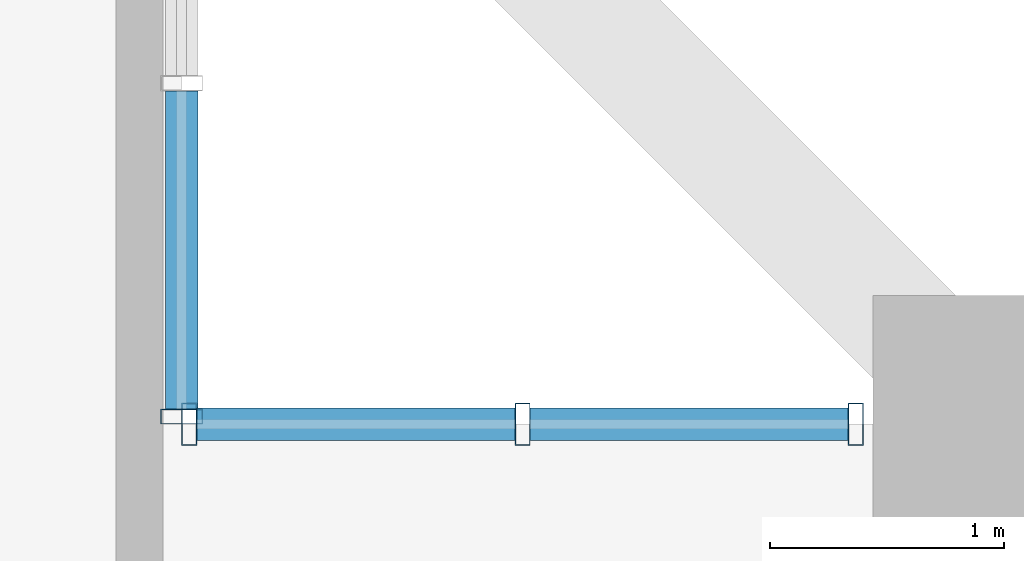
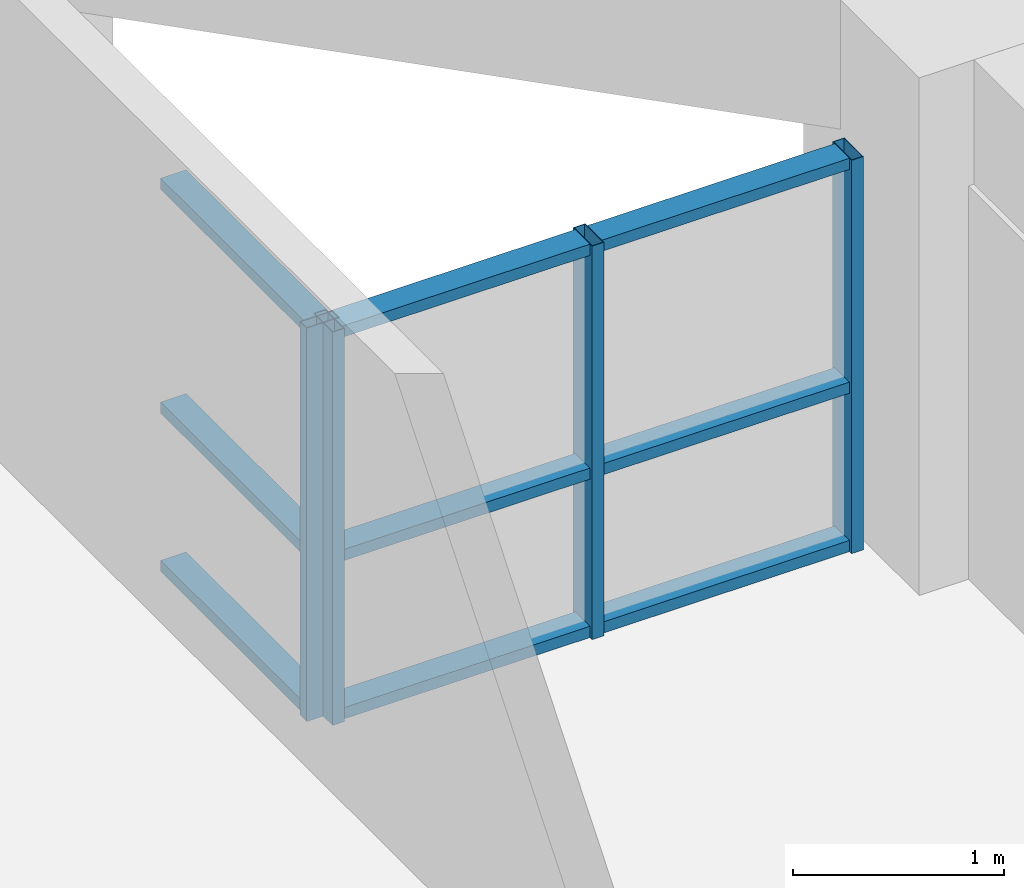
# One storey, part 10 of 27: 13 members, 2 elements without a shape of their own.
"""IFC4 building model written with IfcOpenShell, lengths in metres."""

from ifc_helpers import new_model, si_unit, direction, frame, origin, origin_2d, place, context, subcontext, project, spatial, hollow_rectangle, extrude, source, transform, mapped, material, layer, layer_set, material_profile, profile_set, type_object, element, aggregate, save


model = new_model("IFC4")

# Units and contexts
model_context = context("Model", 3, precision=1e-05, world=origin(), true_north=direction((0.0, 1.0)))
body_context = subcontext(model_context, "Body", "Model", "MODEL_VIEW")
ifc_project = project(units=[si_unit("LENGTHUNIT", "METRE"), si_unit("AREAUNIT", "SQUARE_METRE"), si_unit("VOLUMEUNIT", "CUBIC_METRE"), si_unit("PLANEANGLEUNIT", "RADIAN"), si_unit("MASSUNIT", "GRAM", prefix="KILO")], contexts=[model_context])

# Site, building, storey
site_placement = place(None, origin())
site = spatial("IfcSite", under=ifc_project, at=site_placement, CompositionType="ELEMENT")
building_placement = place(site_placement, origin())
building = spatial("IfcBuilding", under=site, at=building_placement, Name="Saelheon Loggia Tower", CompositionType="ELEMENT")
storey_placement = place(building_placement, frame((0.0, 0.0, 52.39990234375)))
storey = spatial("IfcBuildingStorey", under=building, at=storey_placement, Name="L16", CompositionType="ELEMENT", Elevation=52.39990234375)

# Curtain wall, member
ifc_material_1 = material(Name="Thermal-Break Aluminium and Triple Low-E Glass", Category="aluminium")
ifc_layer = layer(ifc_material_1, 0.159912109375)
ifc_layer_set = layer_set([ifc_layer], Name="Thermal-Break Aluminium and Triple Low-E Glass")
curtain_wall_type = type_object("IfcCurtainWallType", Name="CW_TowerLoggiaLow", PredefinedType="NOTDEFINED", material=ifc_layer_set)
curtain_wall_1_placement = place(storey_placement, origin())
curtain_wall_1 = element("IfcCurtainWall", 1, at=curtain_wall_1_placement, inside=storey, type_object=curtain_wall_type, Name="L16 Corner Notch Glazing NE1", PredefinedType="NOTDEFINED")
ifc_material_2 = material(Name="Anodised Aluminium 6063-T6", Category="aluminium")
ifc_material_profile_1 = material_profile(ifc_material_2, hollow_rectangle(XDim=0.06494140625, YDim=0.179931640625, WallThickness=0.00390625, at=origin_2d()), Name="RHS-180x65x4")
ifc_profile_set_1 = profile_set([ifc_material_profile_1], Name="Anodised Aluminium 6063-T6")
member_type_1 = type_object("IfcMemberType", Name="CW_TowerLoggiaLow_Mullion", PredefinedType="MULLION", material=ifc_profile_set_1)
shared_shape_1 = source(origin(), body_context, "Body", "SweptSolid", [
    extrude(hollow_rectangle(XDim=0.06494140625, YDim=0.179931640625, WallThickness=0.00390625, at=origin_2d()), origin(), (0.0, 0.0, 1.0), 2.280029296875),
])
member_1_placement = place(storey_placement, frame((60.5, 47.532470703125, 0.0), z_axis=(0.0, 0.0, 1.0), x_axis=(0.0, 1.0, 0.0)))
member_1 = element("IfcMember", 2, at=member_1_placement, type_object=member_type_1, Name="CW3 mullion 1", PredefinedType="MULLION", context=body_context, shape_type="MappedRepresentation", body=[
    mapped(shared_shape_1, transform((0.0, 0.0, 0.0), scale=1.0)),
])

# Curtain wall, members
curtain_wall_2_placement = place(storey_placement, origin())
curtain_wall_2 = element("IfcCurtainWall", 3, at=curtain_wall_2_placement, inside=storey, type_object=curtain_wall_type, Name="L16 Corner Notch Glazing NE2", PredefinedType="NOTDEFINED")
member_2_placement = place(storey_placement, frame((60.532470703125, 47.5, 0.0), z_axis=(0.0, 0.0, 1.0), x_axis=(1.0, 0.0, 0.0)))
member_2 = element("IfcMember", 4, at=member_2_placement, type_object=member_type_1, Name="CW3 mullion 1", PredefinedType="MULLION", context=body_context, shape_type="MappedRepresentation", body=[
    mapped(shared_shape_1, transform((0.0, 0.0, 0.0), scale=1.0)),
])
member_3_placement = place(storey_placement, frame((61.955078125, 47.5, 0.0), z_axis=(0.0, 0.0, 1.0), x_axis=(1.0, 0.0, 0.0)))
member_3 = element("IfcMember", 5, at=member_3_placement, type_object=member_type_1, Name="CW3 mullion 2", PredefinedType="MULLION", context=body_context, shape_type="MappedRepresentation", body=[
    mapped(shared_shape_1, transform((0.0, 0.0, 0.0), scale=1.0)),
])
member_4_placement = place(storey_placement, frame((63.37744140625, 47.5, 0.0), z_axis=(0.0, 0.0, 1.0), x_axis=(1.0, 0.0, 0.0)))
member_4 = element("IfcMember", 6, at=member_4_placement, type_object=member_type_1, Name="CW3 mullion 3", PredefinedType="MULLION", context=body_context, shape_type="MappedRepresentation", body=[
    mapped(shared_shape_1, transform((0.0, 0.0, 0.0), scale=1.0)),
])
ifc_material_profile_2 = material_profile(ifc_material_2, hollow_rectangle(XDim=0.06494140625, YDim=0.139892578125, WallThickness=0.00390625, at=origin_2d()), Name="RHS-140x65x4")
ifc_profile_set_2 = profile_set([ifc_material_profile_2], Name="Anodised Aluminium 6063-T6")
member_type_2 = type_object("IfcMemberType", Name="CW_TowerLoggiaLow_Transom", PredefinedType="USERDEFINED", material=ifc_profile_set_2)
shared_shape_2 = source(origin(), body_context, "Body", "SweptSolid", [
    extrude(hollow_rectangle(XDim=0.06494140625, YDim=0.139892578125, WallThickness=0.00390625, at=origin_2d()), origin(), (0.0, 0.0, 1.0), 1.357421875),
])
member_5_placement = place(storey_placement, frame((61.987548828125, 47.5, 0.03271484375), z_axis=(1.0, 0.0, 0.0), x_axis=(0.0, 0.0, 1.0)))
member_5 = element("IfcMember", 7, at=member_5_placement, type_object=member_type_2, Name="CW3 transom 2.1", ObjectType="TRANSOM", PredefinedType="USERDEFINED", context=body_context, shape_type="MappedRepresentation", body=[
    mapped(shared_shape_2, transform((0.0, 0.0, 0.0), scale=1.0)),
])
member_6_placement = place(storey_placement, frame((61.987548828125, 47.5, 0.9501953125), z_axis=(1.0, 0.0, 0.0), x_axis=(0.0, 0.0, 1.0)))
member_6 = element("IfcMember", 8, at=member_6_placement, type_object=member_type_2, Name="CW3 transom 2.2", ObjectType="TRANSOM", PredefinedType="USERDEFINED", context=body_context, shape_type="MappedRepresentation", body=[
    mapped(shared_shape_2, transform((0.0, 0.0, 0.0), scale=1.0)),
])
member_7_placement = place(storey_placement, frame((61.987548828125, 47.5, 2.24755859375), z_axis=(1.0, 0.0, 0.0), x_axis=(0.0, 0.0, 1.0)))
member_7 = element("IfcMember", 9, at=member_7_placement, type_object=member_type_2, Name="CW3 transom 2.3", ObjectType="TRANSOM", PredefinedType="USERDEFINED", context=body_context, shape_type="MappedRepresentation", body=[
    mapped(shared_shape_2, transform((0.0, 0.0, 0.0), scale=1.0)),
])

# Member
shared_shape_3 = source(origin(), body_context, "Body", "SweptSolid", [
    extrude(hollow_rectangle(XDim=0.06494140625, YDim=0.139892578125, WallThickness=0.00390625, at=origin_2d()), origin(), (0.0, 0.0, 1.0), 1.357666015625),
])
member_8_placement = place(storey_placement, frame((60.5, 47.56494140625, 0.03271484375), z_axis=(0.0, 1.0, 0.0), x_axis=(0.0, 0.0, 1.0)))
member_8 = element("IfcMember", 10, at=member_8_placement, type_object=member_type_2, Name="CW3 transom 1.1", ObjectType="TRANSOM", PredefinedType="USERDEFINED", context=body_context, shape_type="MappedRepresentation", body=[
    mapped(shared_shape_3, transform((0.0, 0.0, 0.0), scale=1.0)),
])

member_9_placement = place(storey_placement, frame((60.5, 47.56494140625, 0.9501953125), z_axis=(0.0, 1.0, 0.0), x_axis=(0.0, 0.0, 1.0)))
member_9 = element("IfcMember", 11, at=member_9_placement, type_object=member_type_2, Name="CW3 transom 1.2", ObjectType="TRANSOM", PredefinedType="USERDEFINED", context=body_context, shape_type="MappedRepresentation", body=[
    mapped(shared_shape_3, transform((0.0, 0.0, 0.0), scale=1.0)),
])

member_10_placement = place(storey_placement, frame((60.5, 47.56494140625, 2.24755859375), z_axis=(0.0, 1.0, 0.0), x_axis=(0.0, 0.0, 1.0)))
member_10 = element("IfcMember", 12, at=member_10_placement, type_object=member_type_2, Name="CW3 transom 1.3", ObjectType="TRANSOM", PredefinedType="USERDEFINED", context=body_context, shape_type="MappedRepresentation", body=[
    mapped(shared_shape_3, transform((0.0, 0.0, 0.0), scale=1.0)),
])

aggregate(curtain_wall_1, [member_1, member_8, member_9, member_10])

member_11_placement = place(storey_placement, frame((60.56494140625, 47.5, 0.03271484375), z_axis=(1.0, 0.0, 0.0), x_axis=(0.0, 0.0, 1.0)))
member_11 = element("IfcMember", 13, at=member_11_placement, type_object=member_type_2, Name="CW3 transom 1.1", ObjectType="TRANSOM", PredefinedType="USERDEFINED", context=body_context, shape_type="MappedRepresentation", body=[
    mapped(shared_shape_3, transform((0.0, 0.0, 0.0), scale=1.0)),
])

member_12_placement = place(storey_placement, frame((60.56494140625, 47.5, 0.9501953125), z_axis=(1.0, 0.0, 0.0), x_axis=(0.0, 0.0, 1.0)))
member_12 = element("IfcMember", 14, at=member_12_placement, type_object=member_type_2, Name="CW3 transom 1.2", ObjectType="TRANSOM", PredefinedType="USERDEFINED", context=body_context, shape_type="MappedRepresentation", body=[
    mapped(shared_shape_3, transform((0.0, 0.0, 0.0), scale=1.0)),
])

member_13_placement = place(storey_placement, frame((60.56494140625, 47.5, 2.24755859375), z_axis=(1.0, 0.0, 0.0), x_axis=(0.0, 0.0, 1.0)))
member_13 = element("IfcMember", 15, at=member_13_placement, type_object=member_type_2, Name="CW3 transom 1.3", ObjectType="TRANSOM", PredefinedType="USERDEFINED", context=body_context, shape_type="MappedRepresentation", body=[
    mapped(shared_shape_3, transform((0.0, 0.0, 0.0), scale=1.0)),
])

aggregate(curtain_wall_2, [member_2, member_3, member_4, member_11, member_12, member_13, member_5, member_6, member_7])

save(model, "model.ifc")
